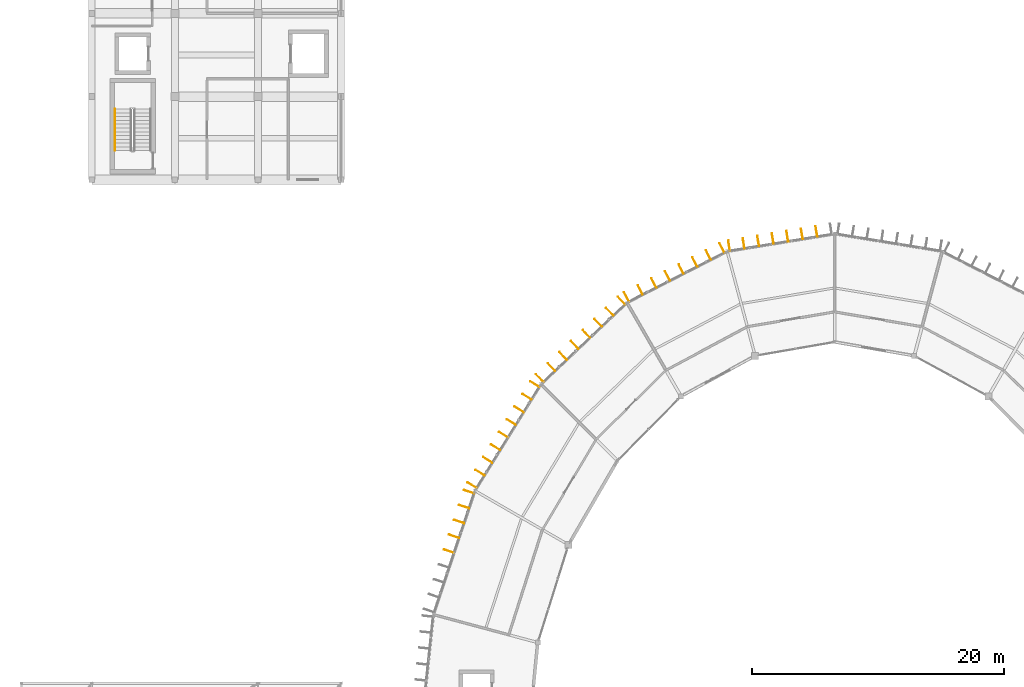
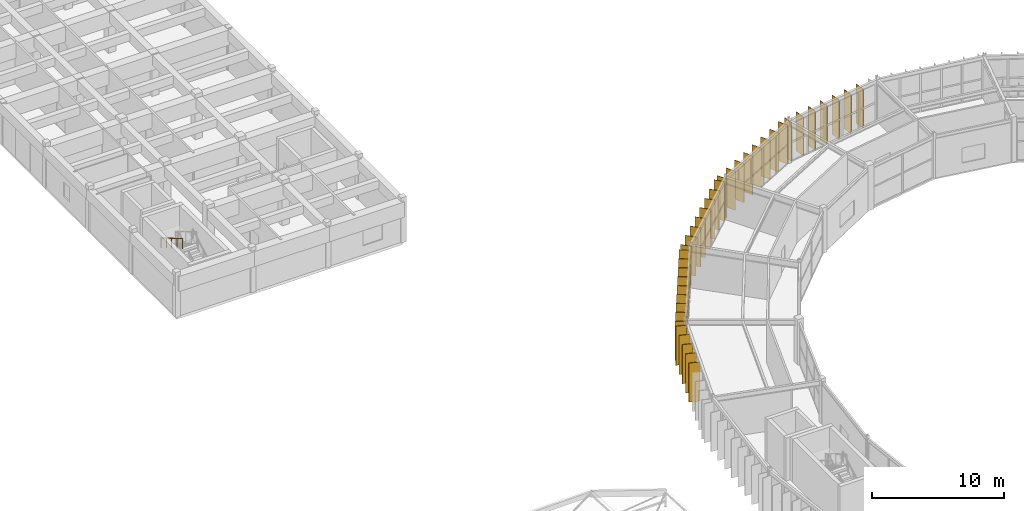
# One storey, part 130 of 134: 37 shading devices, 1 railing.
"""IFC4 building model written with IfcOpenShell, lengths in metres."""

from ifc_helpers import new_model, si_unit, direction, frame, origin, origin_2d, place, context, subcontext, project, spatial, rectangle, circle, extrude, material, layer, layer_set, type_object, element, save


model = new_model("IFC4")

# Units and contexts
model_context = context("Model", 3, precision=1e-05, world=origin(), true_north=direction((0.0, 1.0)))
body_context = subcontext(model_context, "Body", "Model", "MODEL_VIEW")
ifc_project = project(units=[si_unit("LENGTHUNIT", "METRE"), si_unit("AREAUNIT", "SQUARE_METRE"), si_unit("VOLUMEUNIT", "CUBIC_METRE"), si_unit("PLANEANGLEUNIT", "RADIAN"), si_unit("MASSUNIT", "GRAM", prefix="KILO")], contexts=[model_context])

# Site, building, storey
site_placement = place(None, origin())
site = spatial("IfcSite", under=ifc_project, at=site_placement, CompositionType="ELEMENT")
building_placement = place(site_placement, origin())
building = spatial("IfcBuilding", under=site, at=building_placement, Name="Karori Crest Natural Sciences Institute", CompositionType="ELEMENT")
storey_placement = place(building_placement, frame((0.0, 0.0, 21.699951171875)))
storey = spatial("IfcBuildingStorey", under=building, at=storey_placement, Name="L05", CompositionType="ELEMENT", Elevation=21.699951171875)

# Railing
ifc_material_1 = material(Name="Stainless steel 316 tubular handrail", Category="steel")
railing_type = type_object("IfcRailingType", Name="RLT-HND", PredefinedType="HANDRAIL", material=ifc_material_1)
railing_placement = place(storey_placement, frame((9.25, 100.60009765625, 2.275146484375)))
element("IfcRailing", 1, at=railing_placement, inside=storey, type_object=railing_type, Name="Stair handrail RL-0268", PredefinedType="HANDRAIL", context=body_context, shape_type="SweptSolid", body=[
    extrude(circle(Radius=0.02392578125, at=origin_2d()), frame((0.0, 0.0, 0.90087890625), z_axis=(0.0, -0.863804395585, 0.503827317807), x_axis=(1.0, 0.0, 0.0)), (0.0, 0.0, 1.0), 3.8203125),
    extrude(circle(Radius=0.02099609375, at=origin_2d()), origin(), (0.0, 0.0, 1.0), 0.876953125),
    extrude(circle(Radius=0.02099609375, at=origin_2d()), frame((0.0, -0.824951171875, 0.481201171875)), (0.0, 0.0, 1.0), 0.876953125),
    extrude(circle(Radius=0.02099609375, at=origin_2d()), frame((0.0, -1.64990234375, 0.96240234375)), (0.0, 0.0, 1.0), 0.876953125),
    extrude(circle(Radius=0.02099609375, at=origin_2d()), frame((0.0, -2.47509765625, 1.443603515625)), (0.0, 0.0, 1.0), 0.876953125),
    extrude(circle(Radius=0.02099609375, at=origin_2d()), frame((0.0, -3.300048828125, 1.9248046875)), (0.0, 0.0, 1.0), 0.876953125),
])

# Shading devices
ifc_material_2 = material(Name="Anodised architectural aluminium 6063-T6", Category="aluminium")
ifc_layer = layer(ifc_material_2, 0.044921875, Name="Anodised architectural aluminium 6063-T6")
ifc_layer_set = layer_set([ifc_layer], Name="Anodised architectural aluminium 6063-T6")
shading_device_type = type_object("IfcShadingDeviceType", Name="SDT-FIN", PredefinedType="USERDEFINED", material=ifc_layer_set)
for number, where, z_axis, x_axis, name in (
    (2, (58.016845703125, 89.7509765625, 0.0), (0.0, 0.0, 1.0), (-0.160649542674, 0.987011511807, 0.0), "Vertical solar fin FN-0868"),
    (3, (59.173095703125, 89.939208984375, 0.0), (0.0, 0.0, 1.0), (-0.160649542674, 0.987011511807, 0.0), "Vertical solar fin FN-0869"),
    (4, (60.3291015625, 90.127197265625, 0.0), (0.0, 0.0, 1.0), (-0.160649542674, 0.987011511807, 0.0), "Vertical solar fin FN-0870"),
    (5, (61.485107421875, 90.3154296875, 0.0), (0.0, 0.0, 1.0), (-0.160649542674, 0.987011511807, 0.0), "Vertical solar fin FN-0871"),
    (6, (62.64111328125, 90.503662109375, 0.0), (0.0, 0.0, 1.0), (-0.160649542674, 0.987011511807, 0.0), "Vertical solar fin FN-0872"),
    (7, (63.79736328125, 90.69189453125, 0.0), (0.0, 0.0, 1.0), (-0.160649542674, 0.987011511807, 0.0), "Vertical solar fin FN-0873"),
    (8, (64.953369140625, 90.8798828125, 0.0), (0.0, 0.0, 1.0), (-0.160649542674, 0.987011511807, 0.0), "Vertical solar fin FN-0874"),
    (9, (49.877197265625, 85.682861328125, 0.0), (0.0, 0.0, 1.0), (-0.455829213737, 0.890067260326, 0.0), "Vertical solar fin FN-0876"),
    (10, (50.960205078125, 86.2373046875, 0.0), (0.0, 0.0, 1.0), (-0.455829213737, 0.890067260326, 0.0), "Vertical solar fin FN-0877"),
    (11, (52.043212890625, 86.7919921875, 0.0), (0.0, 0.0, 1.0), (-0.455829213737, 0.890067260326, 0.0), "Vertical solar fin FN-0878"),
    (12, (53.126220703125, 87.3466796875, 0.0), (0.0, 0.0, 1.0), (-0.455829213737, 0.890067260326, 0.0), "Vertical solar fin FN-0879"),
    (13, (54.208984375, 87.901123046875, 0.0), (0.0, 0.0, 1.0), (-0.455829213737, 0.890067260326, 0.0), "Vertical solar fin FN-0880"),
    (14, (55.2919921875, 88.455810546875, 0.0), (0.0, 0.0, 1.0), (-0.455829213737, 0.890067260326, 0.0), "Vertical solar fin FN-0881"),
    (15, (56.375, 89.010498046875, 0.0), (0.0, 0.0, 1.0), (-0.455829213737, 0.890067260326, 0.0), "Vertical solar fin FN-0882"),
    (16, (57.4580078125, 89.56494140625, 0.0), (0.0, 0.0, 1.0), (-0.455829213737, 0.890067260326, 0.0), "Vertical solar fin FN-0883"),
    (17, (42.982421875, 79.236328125, 0.0), (0.0, 0.0, 1.0), (-0.688250755242, 0.725472878824, 0.0), "Vertical solar fin FN-0884"),
    (18, (43.9091796875, 80.115478515625, 0.0), (0.0, 0.0, 1.0), (-0.688250755242, 0.725472878824, 0.0), "Vertical solar fin FN-0885"),
    (19, (44.8359375, 80.99462890625, 0.0), (0.0, 0.0, 1.0), (-0.688250755242, 0.725472878824, 0.0), "Vertical solar fin FN-0886"),
    (20, (45.7626953125, 81.873779296875, 0.0), (0.0, 0.0, 1.0), (-0.688250755242, 0.725472878824, 0.0), "Vertical solar fin FN-0887"),
    (21, (46.689453125, 82.753173828125, 0.0), (0.0, 0.0, 1.0), (-0.688250755242, 0.725472878824, 0.0), "Vertical solar fin FN-0888"),
    (22, (47.6162109375, 83.63232421875, 0.0), (0.0, 0.0, 1.0), (-0.688250755242, 0.725472878824, 0.0), "Vertical solar fin FN-0889"),
    (23, (48.54296875, 84.51171875, 0.0), (0.0, 0.0, 1.0), (-0.688250755242, 0.725472878824, 0.0), "Vertical solar fin FN-0890"),
    (24, (49.4697265625, 85.390869140625, 0.0), (0.0, 0.0, 1.0), (-0.688250755242, 0.725472878824, 0.0), "Vertical solar fin FN-0891"),
    (25, (37.603515625, 70.7265625, 0.0), (0.0, 0.0, 1.0), (-0.849664524961, 0.527323615081, 0.0), "Vertical solar fin FN-0892"),
    (26, (38.22607421875, 71.729736328125, 0.0), (0.0, 0.0, 1.0), (-0.849664524961, 0.527323615081, 0.0), "Vertical solar fin FN-0893"),
    (27, (38.8486328125, 72.733154296875, 0.0), (0.0, 0.0, 1.0), (-0.849664524961, 0.527323615081, 0.0), "Vertical solar fin FN-0894"),
    (28, (39.471435546875, 73.736328125, 0.0), (0.0, 0.0, 1.0), (-0.849664524961, 0.527323615081, 0.0), "Vertical solar fin FN-0895"),
    (29, (40.093994140625, 74.73974609375, 0.0), (0.0, 0.0, 1.0), (-0.849664524961, 0.527323615081, 0.0), "Vertical solar fin FN-0896"),
    (30, (40.716796875, 75.742919921875, 0.0), (0.0, 0.0, 1.0), (-0.849664524961, 0.527323615081, 0.0), "Vertical solar fin FN-0897"),
    (31, (41.33935546875, 76.746337890625, 0.0), (0.0, 0.0, 1.0), (-0.849664524961, 0.527323615081, 0.0), "Vertical solar fin FN-0898"),
    (32, (41.962158203125, 77.74951171875, 0.0), (0.0, 0.0, 1.0), (-0.849664524961, 0.527323615081, 0.0), "Vertical solar fin FN-0899"),
    (33, (42.584716796875, 78.7529296875, 0.0), (0.0, 0.0, 1.0), (-0.849664524961, 0.527323615081, 0.0), "Vertical solar fin FN-0900"),
    (34, (35.7763671875, 65.487060546875, 0.0), (0.0, 0.0, 1.0), (-0.948197867933, 0.317680347595, 0.0), "Vertical solar fin FN-0905"),
    (35, (36.171875, 66.66796875, 0.0), (0.0, 0.0, 1.0), (-0.948197867933, 0.317680347595, 0.0), "Vertical solar fin FN-0906"),
    (36, (36.567626953125, 67.8486328125, 0.0), (0.0, 0.0, 1.0), (-0.948197867933, 0.317680347595, 0.0), "Vertical solar fin FN-0907"),
    (37, (36.963134765625, 69.029541015625, 0.0), (0.0, 0.0, 1.0), (-0.948197867933, 0.317680347595, 0.0), "Vertical solar fin FN-0908"),
    (38, (37.35888671875, 70.210205078125, 0.0), (0.0, 0.0, 1.0), (-0.948197867933, 0.317680347595, 0.0), "Vertical solar fin FN-0909"),
):
    element("IfcShadingDevice", number, at=place(storey_placement, frame(where, z_axis=z_axis, x_axis=x_axis)), inside=storey, type_object=shading_device_type, Name=name, ObjectType="SOLAR_FIN", PredefinedType="USERDEFINED", context=body_context, shape_type="SweptSolid", body=[
        extrude(rectangle(XDim=0.85009765625, YDim=0.044921875, at=origin_2d()), origin(), (0.0, 0.0, 1.0), 3.625),
    ])

save(model, "model.ifc")
